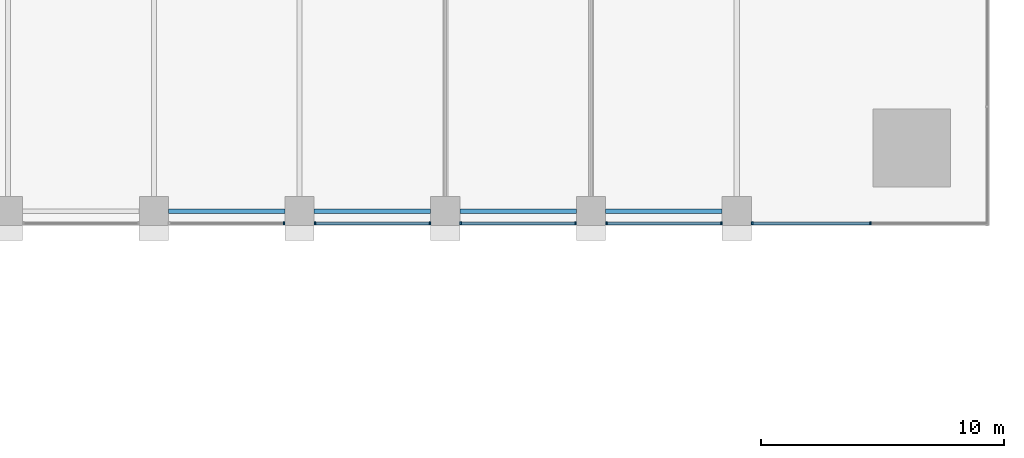
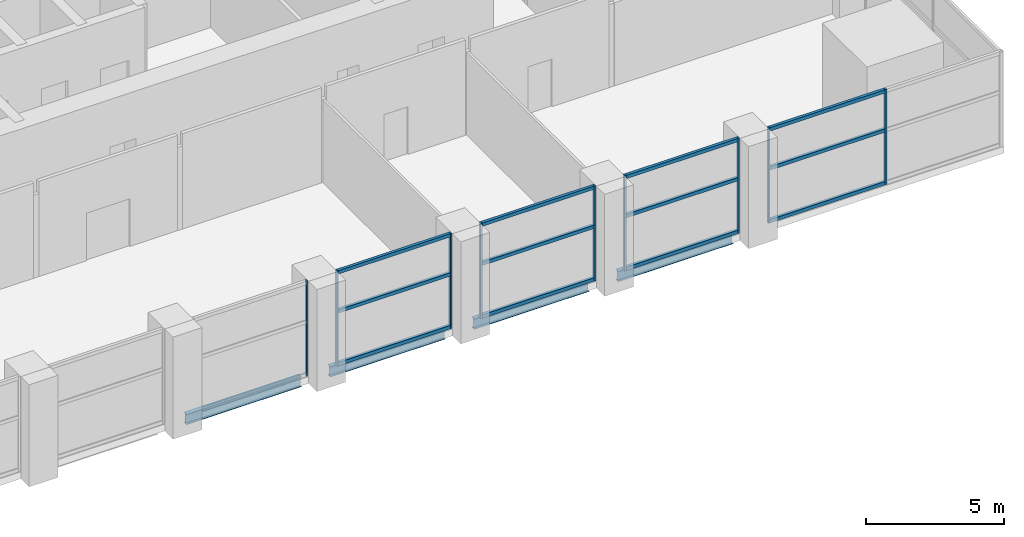
# One storey, part 4 of 25: 21 members, 4 beams, 5 elements without a shape of their own.
"""IFC4 building model written with IfcOpenShell, lengths in metres."""

from ifc_helpers import new_model, si_unit, direction, frame, origin, origin_2d, place, context, subcontext, project, spatial, rectangle, i_section, extrude, material, material_profile, profile_set, type_object, element, aggregate, save


model = new_model("IFC4")

# Units and contexts
model_context = context("Model", 3, precision=1e-05, world=origin(), true_north=direction((0.0, 1.0)))
body_context = subcontext(model_context, "Body", "Model", "MODEL_VIEW")
ifc_project = project(units=[si_unit("LENGTHUNIT", "METRE"), si_unit("AREAUNIT", "SQUARE_METRE"), si_unit("VOLUMEUNIT", "CUBIC_METRE"), si_unit("PLANEANGLEUNIT", "RADIAN"), si_unit("MASSUNIT", "GRAM", prefix="KILO")], contexts=[model_context])

# Site, building, storey
site_placement = place(None, origin())
site = spatial("IfcSite", under=ifc_project, at=site_placement, CompositionType="ELEMENT")
building_placement = place(site_placement, origin())
building = spatial("IfcBuilding", under=site, at=building_placement, Name="Amberfall Residences", CompositionType="ELEMENT")
storey_placement = place(building_placement, frame((0.0, 0.0, 14.5)))
storey = spatial("IfcBuildingStorey", under=building, at=storey_placement, Name="L03", CompositionType="ELEMENT", Elevation=14.5)

# Curtain wall, member
ifc_material_1 = material(Name="Bronze anodised aluminium and glass", Category="aluminium")
curtain_wall_type = type_object("IfcCurtainWallType", Name="Curtain wall CW4 podium storefront", PredefinedType="USERDEFINED", material=ifc_material_1)
curtain_wall_1_placement = place(storey_placement, origin())
curtain_wall_1 = element("IfcCurtainWall", 1, at=curtain_wall_1_placement, inside=storey, type_object=curtain_wall_type, Name="Storefront L03 S3", ObjectType="UNITISED CURTAIN WALL", PredefinedType="USERDEFINED")
ifc_material_2 = material(Name="Bronze anodised aluminium", Category="aluminium")
ifc_material_profile_1 = material_profile(ifc_material_2, rectangle(XDim=0.1201171875, YDim=0.070068359375, at=origin_2d()), Name="CW4 mullion 70 x 120 bronze")
ifc_profile_set_1 = profile_set([ifc_material_profile_1], Name="Bronze anodised aluminium")
member_type_1 = type_object("IfcMemberType", Name="CW4 mullion 70 x 120 bronze", PredefinedType="MULLION", material=ifc_profile_set_1)
member_1_placement = place(storey_placement, frame((70.965087890625, 20.10009765625, 0.0), z_axis=(0.0, 0.0, 1.0), x_axis=(0.0, 1.0, 0.0)))
member_1 = element("IfcMember", 2, at=member_1_placement, type_object=member_type_1, Name="CW4 mullion 2", PredefinedType="MULLION", context=body_context, shape_type="SweptSolid", body=[
    extrude(rectangle(XDim=0.1201171875, YDim=0.070068359375, at=origin_2d()), origin(), (0.0, 0.0, 1.0), 4.199951171875),
])
aggregate(curtain_wall_1, [member_1])

# Curtain wall, members
curtain_wall_2_placement = place(storey_placement, origin())
curtain_wall_2 = element("IfcCurtainWall", 3, at=curtain_wall_2_placement, inside=storey, type_object=curtain_wall_type, Name="Storefront L03 S4", ObjectType="UNITISED CURTAIN WALL", PredefinedType="USERDEFINED")
member_2_placement = place(storey_placement, frame((72.235107421875, 20.10009765625, 0.0), z_axis=(0.0, 0.0, 1.0), x_axis=(0.0, 1.0, 0.0)))
member_2 = element("IfcMember", 4, at=member_2_placement, type_object=member_type_1, Name="CW4 mullion 1", PredefinedType="MULLION", context=body_context, shape_type="SweptSolid", body=[
    extrude(rectangle(XDim=0.1201171875, YDim=0.070068359375, at=origin_2d()), origin(), (0.0, 0.0, 1.0), 4.199951171875),
])
member_3_placement = place(storey_placement, frame((76.965087890625, 20.10009765625, 0.0), z_axis=(0.0, 0.0, 1.0), x_axis=(0.0, 1.0, 0.0)))
member_3 = element("IfcMember", 5, at=member_3_placement, type_object=member_type_1, Name="CW4 mullion 2", PredefinedType="MULLION", context=body_context, shape_type="SweptSolid", body=[
    extrude(rectangle(XDim=0.1201171875, YDim=0.070068359375, at=origin_2d()), origin(), (0.0, 0.0, 1.0), 4.199951171875),
])

curtain_wall_3_placement = place(storey_placement, origin())
curtain_wall_3 = element("IfcCurtainWall", 6, at=curtain_wall_3_placement, inside=storey, type_object=curtain_wall_type, Name="Storefront L03 S5", ObjectType="UNITISED CURTAIN WALL", PredefinedType="USERDEFINED")
member_4_placement = place(storey_placement, frame((78.235107421875, 20.10009765625, 0.0), z_axis=(0.0, 0.0, 1.0), x_axis=(0.0, 1.0, 0.0)))
member_4 = element("IfcMember", 7, at=member_4_placement, type_object=member_type_1, Name="CW4 mullion 1", PredefinedType="MULLION", context=body_context, shape_type="SweptSolid", body=[
    extrude(rectangle(XDim=0.1201171875, YDim=0.070068359375, at=origin_2d()), origin(), (0.0, 0.0, 1.0), 4.199951171875),
])
member_5_placement = place(storey_placement, frame((82.965087890625, 20.10009765625, 0.0), z_axis=(0.0, 0.0, 1.0), x_axis=(0.0, 1.0, 0.0)))
member_5 = element("IfcMember", 8, at=member_5_placement, type_object=member_type_1, Name="CW4 mullion 2", PredefinedType="MULLION", context=body_context, shape_type="SweptSolid", body=[
    extrude(rectangle(XDim=0.1201171875, YDim=0.070068359375, at=origin_2d()), origin(), (0.0, 0.0, 1.0), 4.199951171875),
])

curtain_wall_4_placement = place(storey_placement, origin())
curtain_wall_4 = element("IfcCurtainWall", 9, at=curtain_wall_4_placement, inside=storey, type_object=curtain_wall_type, Name="Storefront L03 S6", ObjectType="UNITISED CURTAIN WALL", PredefinedType="USERDEFINED")
member_6_placement = place(storey_placement, frame((84.235107421875, 20.10009765625, 0.0), z_axis=(0.0, 0.0, 1.0), x_axis=(0.0, 1.0, 0.0)))
member_6 = element("IfcMember", 10, at=member_6_placement, type_object=member_type_1, Name="CW4 mullion 1", PredefinedType="MULLION", context=body_context, shape_type="SweptSolid", body=[
    extrude(rectangle(XDim=0.1201171875, YDim=0.070068359375, at=origin_2d()), origin(), (0.0, 0.0, 1.0), 4.199951171875),
])
member_7_placement = place(storey_placement, frame((88.965087890625, 20.10009765625, 0.0), z_axis=(0.0, 0.0, 1.0), x_axis=(0.0, 1.0, 0.0)))
member_7 = element("IfcMember", 11, at=member_7_placement, type_object=member_type_1, Name="CW4 mullion 2", PredefinedType="MULLION", context=body_context, shape_type="SweptSolid", body=[
    extrude(rectangle(XDim=0.1201171875, YDim=0.070068359375, at=origin_2d()), origin(), (0.0, 0.0, 1.0), 4.199951171875),
])

curtain_wall_5_placement = place(storey_placement, origin())
curtain_wall_5 = element("IfcCurtainWall", 12, at=curtain_wall_5_placement, inside=storey, type_object=curtain_wall_type, Name="Storefront L03 S7", ObjectType="UNITISED CURTAIN WALL", PredefinedType="USERDEFINED")
member_8_placement = place(storey_placement, frame((90.235107421875, 20.10009765625, 0.0), z_axis=(0.0, 0.0, 1.0), x_axis=(0.0, 1.0, 0.0)))
member_8 = element("IfcMember", 13, at=member_8_placement, type_object=member_type_1, Name="CW4 mullion 1", PredefinedType="MULLION", context=body_context, shape_type="SweptSolid", body=[
    extrude(rectangle(XDim=0.1201171875, YDim=0.070068359375, at=origin_2d()), origin(), (0.0, 0.0, 1.0), 4.199951171875),
])
member_9_placement = place(storey_placement, frame((95.10009765625, 20.10009765625, 0.0), z_axis=(0.0, 0.0, 1.0), x_axis=(0.0, 1.0, 0.0)))
member_9 = element("IfcMember", 14, at=member_9_placement, type_object=member_type_1, Name="CW4 mullion 2", PredefinedType="MULLION", context=body_context, shape_type="SweptSolid", body=[
    extrude(rectangle(XDim=0.1201171875, YDim=0.070068359375, at=origin_2d()), origin(), (0.0, 0.0, 1.0), 4.199951171875),
])

# Member
ifc_material_profile_2 = material_profile(ifc_material_2, rectangle(XDim=0.1201171875, YDim=0.14990234375, at=origin_2d()), Name="CW4 transom 120 x 150 bronze")
ifc_profile_set_2 = profile_set([ifc_material_profile_2], Name="Bronze anodised aluminium")
member_type_2 = type_object("IfcMemberType", Name="CW4 transom 120 x 150 bronze", PredefinedType="USERDEFINED", material=ifc_profile_set_2)
member_10_placement = place(storey_placement, frame((72.27001953125, 20.10009765625, 0.074951171875), z_axis=(1.0, 0.0, 0.0), x_axis=(0.0, 1.0, 0.0)))
member_10 = element("IfcMember", 15, at=member_10_placement, type_object=member_type_2, Name="CW4 transom 1.1", ObjectType="TRANSOM", PredefinedType="USERDEFINED", context=body_context, shape_type="SweptSolid", body=[
    extrude(rectangle(XDim=0.1201171875, YDim=0.14990234375, at=origin_2d()), origin(), (0.0, 0.0, 1.0), 4.659912109375),
])

member_11_placement = place(storey_placement, frame((72.27001953125, 20.10009765625, 2.39990234375), z_axis=(1.0, 0.0, 0.0), x_axis=(0.0, 1.0, 0.0)))
member_11 = element("IfcMember", 16, at=member_11_placement, type_object=member_type_2, Name="CW4 transom 1.2", ObjectType="TRANSOM", PredefinedType="USERDEFINED", context=body_context, shape_type="SweptSolid", body=[
    extrude(rectangle(XDim=0.1201171875, YDim=0.14990234375, at=origin_2d()), origin(), (0.0, 0.0, 1.0), 4.659912109375),
])

member_12_placement = place(storey_placement, frame((72.27001953125, 20.10009765625, 4.125), z_axis=(1.0, 0.0, 0.0), x_axis=(0.0, 1.0, 0.0)))
member_12 = element("IfcMember", 17, at=member_12_placement, type_object=member_type_2, Name="CW4 transom 1.3", ObjectType="TRANSOM", PredefinedType="USERDEFINED", context=body_context, shape_type="SweptSolid", body=[
    extrude(rectangle(XDim=0.1201171875, YDim=0.14990234375, at=origin_2d()), origin(), (0.0, 0.0, 1.0), 4.659912109375),
])

aggregate(curtain_wall_2, [member_2, member_3, member_10, member_11, member_12])

member_13_placement = place(storey_placement, frame((78.27001953125, 20.10009765625, 0.074951171875), z_axis=(1.0, 0.0, 0.0), x_axis=(0.0, 1.0, 0.0)))
member_13 = element("IfcMember", 18, at=member_13_placement, type_object=member_type_2, Name="CW4 transom 1.1", ObjectType="TRANSOM", PredefinedType="USERDEFINED", context=body_context, shape_type="SweptSolid", body=[
    extrude(rectangle(XDim=0.1201171875, YDim=0.14990234375, at=origin_2d()), origin(), (0.0, 0.0, 1.0), 4.659912109375),
])

member_14_placement = place(storey_placement, frame((78.27001953125, 20.10009765625, 2.39990234375), z_axis=(1.0, 0.0, 0.0), x_axis=(0.0, 1.0, 0.0)))
member_14 = element("IfcMember", 19, at=member_14_placement, type_object=member_type_2, Name="CW4 transom 1.2", ObjectType="TRANSOM", PredefinedType="USERDEFINED", context=body_context, shape_type="SweptSolid", body=[
    extrude(rectangle(XDim=0.1201171875, YDim=0.14990234375, at=origin_2d()), origin(), (0.0, 0.0, 1.0), 4.659912109375),
])

member_15_placement = place(storey_placement, frame((78.27001953125, 20.10009765625, 4.125), z_axis=(1.0, 0.0, 0.0), x_axis=(0.0, 1.0, 0.0)))
member_15 = element("IfcMember", 20, at=member_15_placement, type_object=member_type_2, Name="CW4 transom 1.3", ObjectType="TRANSOM", PredefinedType="USERDEFINED", context=body_context, shape_type="SweptSolid", body=[
    extrude(rectangle(XDim=0.1201171875, YDim=0.14990234375, at=origin_2d()), origin(), (0.0, 0.0, 1.0), 4.659912109375),
])

aggregate(curtain_wall_3, [member_4, member_5, member_13, member_14, member_15])

member_16_placement = place(storey_placement, frame((84.27001953125, 20.10009765625, 0.074951171875), z_axis=(1.0, 0.0, 0.0), x_axis=(0.0, 1.0, 0.0)))
member_16 = element("IfcMember", 21, at=member_16_placement, type_object=member_type_2, Name="CW4 transom 1.1", ObjectType="TRANSOM", PredefinedType="USERDEFINED", context=body_context, shape_type="SweptSolid", body=[
    extrude(rectangle(XDim=0.1201171875, YDim=0.14990234375, at=origin_2d()), origin(), (0.0, 0.0, 1.0), 4.659912109375),
])

member_17_placement = place(storey_placement, frame((84.27001953125, 20.10009765625, 2.39990234375), z_axis=(1.0, 0.0, 0.0), x_axis=(0.0, 1.0, 0.0)))
member_17 = element("IfcMember", 22, at=member_17_placement, type_object=member_type_2, Name="CW4 transom 1.2", ObjectType="TRANSOM", PredefinedType="USERDEFINED", context=body_context, shape_type="SweptSolid", body=[
    extrude(rectangle(XDim=0.1201171875, YDim=0.14990234375, at=origin_2d()), origin(), (0.0, 0.0, 1.0), 4.659912109375),
])

member_18_placement = place(storey_placement, frame((84.27001953125, 20.10009765625, 4.125), z_axis=(1.0, 0.0, 0.0), x_axis=(0.0, 1.0, 0.0)))
member_18 = element("IfcMember", 23, at=member_18_placement, type_object=member_type_2, Name="CW4 transom 1.3", ObjectType="TRANSOM", PredefinedType="USERDEFINED", context=body_context, shape_type="SweptSolid", body=[
    extrude(rectangle(XDim=0.1201171875, YDim=0.14990234375, at=origin_2d()), origin(), (0.0, 0.0, 1.0), 4.659912109375),
])

aggregate(curtain_wall_4, [member_6, member_7, member_16, member_17, member_18])

member_19_placement = place(storey_placement, frame((90.27001953125, 20.10009765625, 0.074951171875), z_axis=(1.0, 0.0, 0.0), x_axis=(0.0, 1.0, 0.0)))
member_19 = element("IfcMember", 24, at=member_19_placement, type_object=member_type_2, Name="CW4 transom 1.1", ObjectType="TRANSOM", PredefinedType="USERDEFINED", context=body_context, shape_type="SweptSolid", body=[
    extrude(rectangle(XDim=0.1201171875, YDim=0.14990234375, at=origin_2d()), origin(), (0.0, 0.0, 1.0), 4.794921875),
])

member_20_placement = place(storey_placement, frame((90.27001953125, 20.10009765625, 2.39990234375), z_axis=(1.0, 0.0, 0.0), x_axis=(0.0, 1.0, 0.0)))
member_20 = element("IfcMember", 25, at=member_20_placement, type_object=member_type_2, Name="CW4 transom 1.2", ObjectType="TRANSOM", PredefinedType="USERDEFINED", context=body_context, shape_type="SweptSolid", body=[
    extrude(rectangle(XDim=0.1201171875, YDim=0.14990234375, at=origin_2d()), origin(), (0.0, 0.0, 1.0), 4.794921875),
])

member_21_placement = place(storey_placement, frame((90.27001953125, 20.10009765625, 4.125), z_axis=(1.0, 0.0, 0.0), x_axis=(0.0, 1.0, 0.0)))
member_21 = element("IfcMember", 26, at=member_21_placement, type_object=member_type_2, Name="CW4 transom 1.3", ObjectType="TRANSOM", PredefinedType="USERDEFINED", context=body_context, shape_type="SweptSolid", body=[
    extrude(rectangle(XDim=0.1201171875, YDim=0.14990234375, at=origin_2d()), origin(), (0.0, 0.0, 1.0), 4.794921875),
])

aggregate(curtain_wall_5, [member_8, member_9, member_19, member_20, member_21])

# Beams
ifc_material_3 = material(Name="Steel S355", Category="steel")
ifc_material_profile_3 = material_profile(ifc_material_3, i_section(OverallWidth=0.18994140625, OverallDepth=0.453369140625, WebThickness=0.008544921875, FlangeThickness=0.0126953125, FilletRadius=0.01025390625, at=origin_2d()), Name="UB 457x191x67")
ifc_profile_set_3 = profile_set([ifc_material_profile_3], Name="Steel S355")
beam_type = type_object("IfcBeamType", Name="Edge beam UB 457x191x67", PredefinedType="SPANDREL", material=ifc_profile_set_3)
for number, where, z_axis, x_axis, name in (
    (27, (66.199951171875, 20.60009765625, -0.526611328125), (1.0, 0.0, 0.0), (0.0, 1.0, 0.0), "Edge beam B1 L03 02"),
    (28, (72.199951171875, 20.60009765625, -0.526611328125), (1.0, 0.0, 0.0), (0.0, 1.0, 0.0), "Edge beam B1 L03 03"),
    (29, (78.199951171875, 20.60009765625, -0.526611328125), (1.0, 0.0, 0.0), (0.0, 1.0, 0.0), "Edge beam B1 L03 04"),
    (30, (84.199951171875, 20.60009765625, -0.526611328125), (1.0, 0.0, 0.0), (0.0, 1.0, 0.0), "Edge beam B1 L03 05"),
):
    element("IfcBeam", number, at=place(storey_placement, frame(where, z_axis=z_axis, x_axis=x_axis)), inside=storey, type_object=beam_type, Name=name, PredefinedType="SPANDREL", context=body_context, shape_type="SweptSolid", body=[
        extrude(i_section(OverallWidth=0.18994140625, OverallDepth=0.453369140625, WebThickness=0.008544921875, FlangeThickness=0.0126953125, FilletRadius=0.01025390625, at=origin_2d()), origin(), (0.0, 0.0, 1.0), 4.800048828125),
    ])

save(model, "model.ifc")
